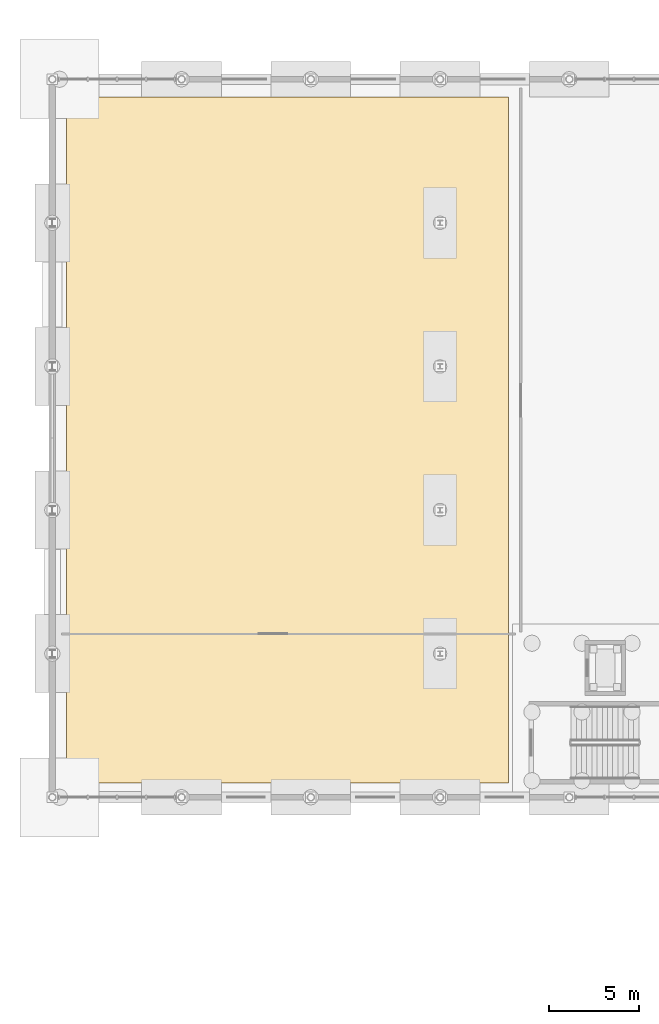
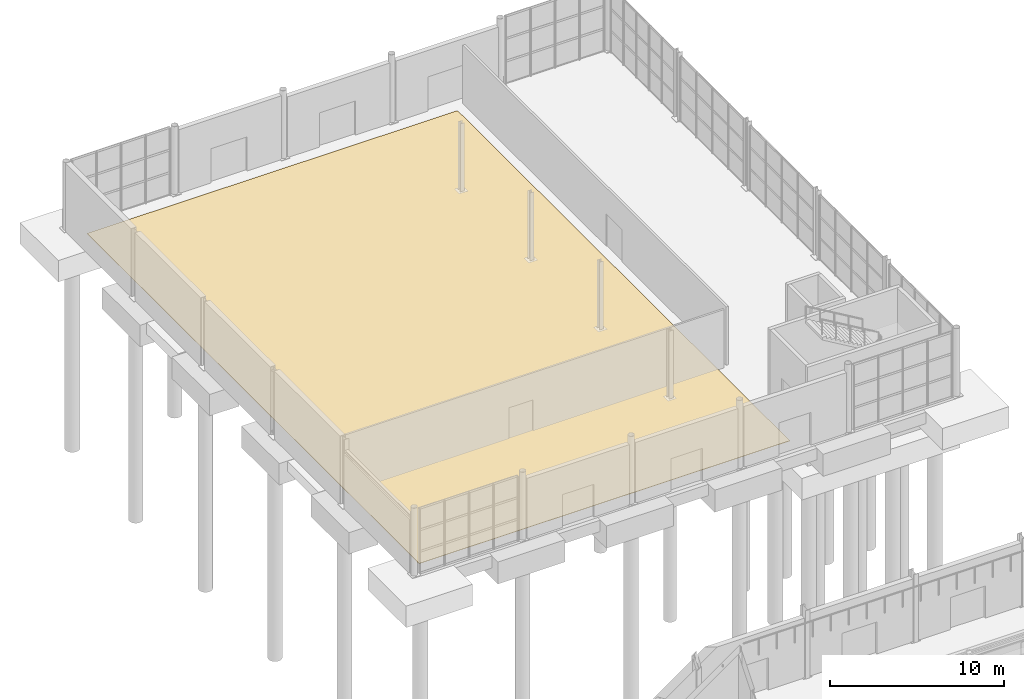
# One storey, part 93 of 101: 1 covering.
"""IFC4 building model written with IfcOpenShell, lengths in metres."""

from ifc_helpers import new_model, si_unit, derived_unit, direction, origin, place, context, subcontext, project, spatial, polyline, outline, extrude, material, layer, layer_set, type_object, element, save


model = new_model("IFC4")

# Units and contexts
model_context = context("Model", 3, precision=1e-05, world=origin(), true_north=direction((0.0, 1.0)))
body_context = subcontext(model_context, "Body", "Model", "MODEL_VIEW")
ifc_project = project(units=[si_unit("LENGTHUNIT", "METRE"), si_unit("AREAUNIT", "SQUARE_METRE"), si_unit("VOLUMEUNIT", "CUBIC_METRE"), si_unit("PLANEANGLEUNIT", "RADIAN"), si_unit("MASSUNIT", "GRAM", prefix="KILO"), derived_unit("THERMALTRANSMITTANCEUNIT", [(si_unit("POWERUNIT", "WATT"), 1), (si_unit("LENGTHUNIT", "METRE"), -2), (si_unit("THERMODYNAMICTEMPERATUREUNIT", "KELVIN"), -1)])], contexts=[model_context])

# Site, building, storey
site_placement = place(None, origin())
site = spatial("IfcSite", under=ifc_project, at=site_placement, CompositionType="ELEMENT")
building_placement = place(site_placement, origin())
building = spatial("IfcBuilding", under=site, at=building_placement, Name="Keldorne Ridge Multi-Sports Centre", CompositionType="ELEMENT")
storey_placement = place(building_placement, origin())
storey = spatial("IfcBuildingStorey", under=building, at=storey_placement, Name="L00", CompositionType="ELEMENT", Elevation=0.0)

# Covering
ifc_material = material(Name="Recycled EPDM impact flooring")
ifc_layer = layer(ifc_material, 0.02490234375)
ifc_layer_set = layer_set([ifc_layer])
covering_type = type_object("IfcCoveringType", Name="COV-FL-02", PredefinedType="FLOORING", material=ifc_layer_set)
covering_placement = place(storey_placement, origin())
element("IfcCovering", 1, at=covering_placement, inside=storey, type_object=covering_type, Name="Climbing safety matting zone", PredefinedType="FLOORING", context=body_context, shape_type="SweptSolid", body=[
    extrude(outline(polyline([(6.800048828125, 74.800048828125), (31.39990234375, 74.800048828125), (31.39990234375, 113.0), (6.800048828125, 113.0), (6.800048828125, 74.800048828125)])), origin(), (0.0, 0.0, 1.0), 0.02490234375),
])

save(model, "model.ifc")
